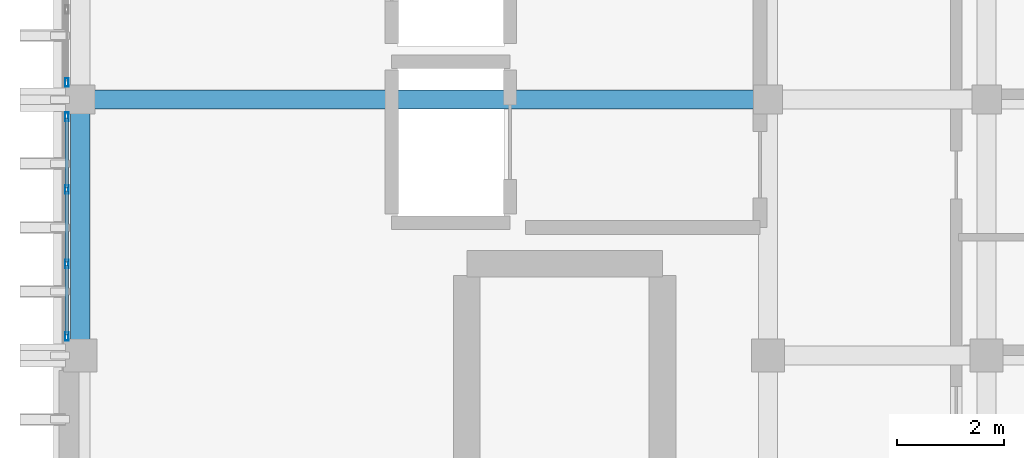
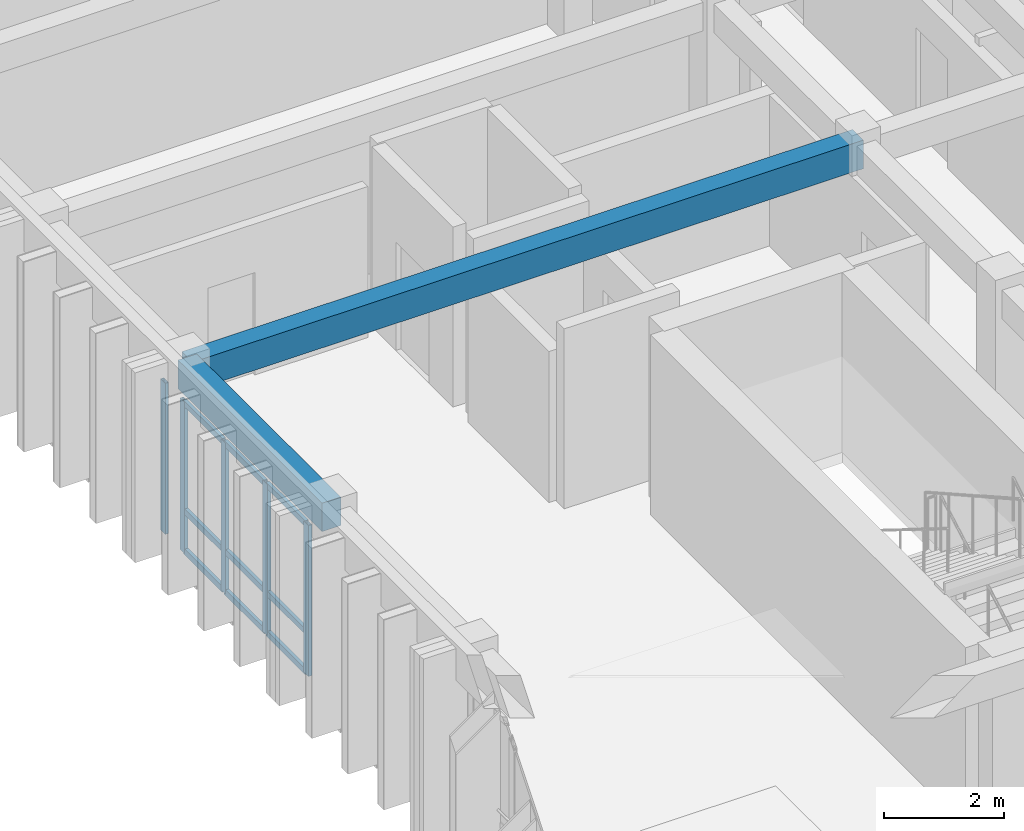
# One storey, part 12 of 50: 14 members, 2 beams, 2 elements without a shape of their own.
"""IFC4 building model written with IfcOpenShell, lengths in metres."""

from ifc_helpers import new_model, si_unit, direction, frame, origin, origin_2d, place, context, subcontext, project, spatial, rectangle, hollow_rectangle, extrude, material, layer, layer_set, material_profile, profile_set, type_object, element, aggregate, save


model = new_model("IFC4")

# Units and contexts
model_context = context("Model", 3, precision=1e-05, world=origin(), true_north=direction((0.0, 1.0)))
body_context = subcontext(model_context, "Body", "Model", "MODEL_VIEW")
ifc_project = project(units=[si_unit("LENGTHUNIT", "METRE"), si_unit("AREAUNIT", "SQUARE_METRE"), si_unit("VOLUMEUNIT", "CUBIC_METRE"), si_unit("PLANEANGLEUNIT", "RADIAN"), si_unit("MASSUNIT", "GRAM", prefix="KILO")], contexts=[model_context])

# Site, building, storey
site_placement = place(None, origin())
site = spatial("IfcSite", under=ifc_project, at=site_placement, CompositionType="ELEMENT")
building_placement = place(site_placement, origin())
building = spatial("IfcBuilding", under=site, at=building_placement, Name="Nakhvara Creek Congress Hotel", CompositionType="ELEMENT")
storey_placement = place(building_placement, frame((0.0, 0.0, 42.60009765625)))
storey = spatial("IfcBuildingStorey", under=building, at=storey_placement, Name="L10", CompositionType="ELEMENT", Elevation=42.60009765625)

# Beams
ifc_material_1 = material(Name="Concrete C40/50", Category="concrete")
ifc_material_profile_1 = material_profile(ifc_material_1, rectangle(XDim=0.360107421875, YDim=0.580078125, at=origin_2d()), Name="RC-BM 360x580", Category="LoadBearing")
ifc_profile_set_1 = profile_set([ifc_material_profile_1], Name="Concrete C40/50")
beam_type = type_object("IfcBeamType", Name="BM-RC-360X580", PredefinedType="BEAM", material=ifc_profile_set_1)
beam_1_placement = place(storey_placement, frame((149.449951171875, 86.39990234375, 3.369873046875), z_axis=(0.0, 1.0, 0.0), x_axis=(-1.0, 0.0, 0.0)))
element("IfcBeam", 1, at=beam_1_placement, inside=storey, type_object=beam_type, Name="Beam B09-L10-2637", PredefinedType="BEAM", context=body_context, shape_type="SweptSolid", body=[
    extrude(rectangle(XDim=0.360107421875, YDim=0.580078125, at=origin_2d()), origin(), (0.0, 0.0, 1.0), 4.800048828125),
])
beam_2_placement = place(storey_placement, frame((149.449951171875, 91.199951171875, 3.369873046875), z_axis=(1.0, 0.0, 0.0), x_axis=(0.0, 1.0, 0.0)))
element("IfcBeam", 2, at=beam_2_placement, inside=storey, type_object=beam_type, Name="Beam B09-L10-2703", PredefinedType="BEAM", context=body_context, shape_type="SweptSolid", body=[
    extrude(rectangle(XDim=0.360107421875, YDim=0.580078125, at=origin_2d()), origin(), (0.0, 0.0, 1.0), 12.900146484375),
])

# Curtain wall, members
ifc_material_2 = material(Name="Bronze-anodised aluminium AW-6063-T6 and double-silver low-E glass", Category="aluminium")
ifc_layer = layer(ifc_material_2, 0.199951171875)
ifc_layer_set = layer_set([ifc_layer], Name="Bronze-anodised aluminium AW-6063-T6 and double-silver low-E glass")
curtain_wall_type = type_object("IfcCurtainWallType", Name="CW-HTL-UNIT", PredefinedType="USERDEFINED", material=ifc_layer_set)
curtain_wall_1_placement = place(storey_placement, origin())
curtain_wall_1 = element("IfcCurtainWall", 3, at=curtain_wall_1_placement, inside=storey, type_object=curtain_wall_type, Name="Curtain Wall CW321", ObjectType="UNITISED", PredefinedType="USERDEFINED")
ifc_material_3 = material(Name="Bronze-anodised aluminium AW-6063-T6", Category="aluminium")
ifc_material_profile_2 = material_profile(ifc_material_3, hollow_rectangle(XDim=0.06494140625, YDim=0.159912109375, WallThickness=0.00390625, at=origin_2d()), Name="ALU-MULL 65x160x4", Category="LoadBearing")
ifc_profile_set_2 = profile_set([ifc_material_profile_2], Name="Bronze-anodised aluminium AW-6063-T6")
member_type_1 = type_object("IfcMemberType", Name="CW-MULL-160", PredefinedType="MULLION", material=ifc_profile_set_2)
member_1_placement = place(storey_placement, frame((149.199951171875, 86.757568359375, 0.0), z_axis=(0.0, 0.0, 1.0), x_axis=(-1.0, 0.0, 0.0)))
member_1 = element("IfcMember", 4, at=member_1_placement, type_object=member_type_1, Name="CW321 mullion 1", PredefinedType="MULLION", context=body_context, shape_type="SweptSolid", body=[
    extrude(hollow_rectangle(XDim=0.06494140625, YDim=0.159912109375, WallThickness=0.00390625, at=origin_2d()), origin(), (0.0, 0.0, 1.0), 3.072021484375),
])
member_2_placement = place(storey_placement, frame((149.199951171875, 88.1201171875, 0.0), z_axis=(0.0, 0.0, 1.0), x_axis=(-1.0, 0.0, 0.0)))
member_2 = element("IfcMember", 5, at=member_2_placement, type_object=member_type_1, Name="CW321 mullion 2", PredefinedType="MULLION", context=body_context, shape_type="SweptSolid", body=[
    extrude(hollow_rectangle(XDim=0.06494140625, YDim=0.159912109375, WallThickness=0.00390625, at=origin_2d()), origin(), (0.0, 0.0, 1.0), 3.072021484375),
])
member_3_placement = place(storey_placement, frame((149.199951171875, 89.514892578125, 0.0), z_axis=(0.0, 0.0, 1.0), x_axis=(-1.0, 0.0, 0.0)))
member_3 = element("IfcMember", 6, at=member_3_placement, type_object=member_type_1, Name="CW321 mullion 3", PredefinedType="MULLION", context=body_context, shape_type="SweptSolid", body=[
    extrude(hollow_rectangle(XDim=0.06494140625, YDim=0.159912109375, WallThickness=0.00390625, at=origin_2d()), origin(), (0.0, 0.0, 1.0), 3.072021484375),
])
member_4_placement = place(storey_placement, frame((149.199951171875, 90.87744140625, 0.0), z_axis=(0.0, 0.0, 1.0), x_axis=(-1.0, 0.0, 0.0)))
member_4 = element("IfcMember", 7, at=member_4_placement, type_object=member_type_1, Name="CW321 mullion 4", PredefinedType="MULLION", context=body_context, shape_type="SweptSolid", body=[
    extrude(hollow_rectangle(XDim=0.06494140625, YDim=0.159912109375, WallThickness=0.00390625, at=origin_2d()), origin(), (0.0, 0.0, 1.0), 3.072021484375),
])

# Curtain wall, member
curtain_wall_2_placement = place(storey_placement, origin())
curtain_wall_2 = element("IfcCurtainWall", 8, at=curtain_wall_2_placement, inside=storey, type_object=curtain_wall_type, Name="Curtain Wall CW323", ObjectType="UNITISED", PredefinedType="USERDEFINED")
member_5_placement = place(storey_placement, frame((149.199951171875, 91.5224609375, 0.0), z_axis=(0.0, 0.0, 1.0), x_axis=(-1.0, 0.0, 0.0)))
member_5 = element("IfcMember", 9, at=member_5_placement, type_object=member_type_1, Name="CW323 mullion 1", PredefinedType="MULLION", context=body_context, shape_type="SweptSolid", body=[
    extrude(hollow_rectangle(XDim=0.06494140625, YDim=0.159912109375, WallThickness=0.00390625, at=origin_2d()), origin(), (0.0, 0.0, 1.0), 3.072021484375),
])
aggregate(curtain_wall_2, [member_5])

# Member
ifc_material_profile_3 = material_profile(ifc_material_3, hollow_rectangle(XDim=0.06494140625, YDim=0.1201171875, WallThickness=0.00390625, at=origin_2d()), Name="ALU-TRAN 65x120x4", Category="LoadBearing")
ifc_profile_set_3 = profile_set([ifc_material_profile_3], Name="Bronze-anodised aluminium AW-6063-T6")
member_type_2 = type_object("IfcMemberType", Name="CW-TRAN-120", PredefinedType="USERDEFINED", material=ifc_profile_set_3)
member_6_placement = place(storey_placement, frame((149.199951171875, 86.7900390625, 0.032470703125), z_axis=(0.0, 1.0, 0.0), x_axis=(-1.0, 0.0, 0.0)))
member_6 = element("IfcMember", 10, at=member_6_placement, type_object=member_type_2, Name="CW321 transom 1.1", ObjectType="TRANSOM", PredefinedType="USERDEFINED", context=body_context, shape_type="SweptSolid", body=[
    extrude(hollow_rectangle(XDim=0.06494140625, YDim=0.1201171875, WallThickness=0.00390625, at=origin_2d()), origin(), (0.0, 0.0, 1.0), 1.29736328125),
])

member_7_placement = place(storey_placement, frame((149.199951171875, 86.7900390625, 0.849853515625), z_axis=(0.0, 1.0, 0.0), x_axis=(-1.0, 0.0, 0.0)))
member_7 = element("IfcMember", 11, at=member_7_placement, type_object=member_type_2, Name="CW321 transom 1.2", ObjectType="TRANSOM", PredefinedType="USERDEFINED", context=body_context, shape_type="SweptSolid", body=[
    extrude(hollow_rectangle(XDim=0.06494140625, YDim=0.1201171875, WallThickness=0.00390625, at=origin_2d()), origin(), (0.0, 0.0, 1.0), 1.29736328125),
])

member_8_placement = place(storey_placement, frame((149.199951171875, 86.7900390625, 3.039306640625), z_axis=(0.0, 1.0, 0.0), x_axis=(-1.0, 0.0, 0.0)))
member_8 = element("IfcMember", 12, at=member_8_placement, type_object=member_type_2, Name="CW321 transom 1.3", ObjectType="TRANSOM", PredefinedType="USERDEFINED", context=body_context, shape_type="SweptSolid", body=[
    extrude(hollow_rectangle(XDim=0.06494140625, YDim=0.1201171875, WallThickness=0.00390625, at=origin_2d()), origin(), (0.0, 0.0, 1.0), 1.29736328125),
])

member_9_placement = place(storey_placement, frame((149.199951171875, 88.152587890625, 0.032470703125), z_axis=(0.0, 1.0, 0.0), x_axis=(-1.0, 0.0, 0.0)))
member_9 = element("IfcMember", 13, at=member_9_placement, type_object=member_type_2, Name="CW321 transom 2.1", ObjectType="TRANSOM", PredefinedType="USERDEFINED", context=body_context, shape_type="SweptSolid", body=[
    extrude(hollow_rectangle(XDim=0.06494140625, YDim=0.1201171875, WallThickness=0.00390625, at=origin_2d()), origin(), (0.0, 0.0, 1.0), 1.329833984375),
])

member_10_placement = place(storey_placement, frame((149.199951171875, 88.152587890625, 0.849853515625), z_axis=(0.0, 1.0, 0.0), x_axis=(-1.0, 0.0, 0.0)))
member_10 = element("IfcMember", 14, at=member_10_placement, type_object=member_type_2, Name="CW321 transom 2.2", ObjectType="TRANSOM", PredefinedType="USERDEFINED", context=body_context, shape_type="SweptSolid", body=[
    extrude(hollow_rectangle(XDim=0.06494140625, YDim=0.1201171875, WallThickness=0.00390625, at=origin_2d()), origin(), (0.0, 0.0, 1.0), 1.329833984375),
])

member_11_placement = place(storey_placement, frame((149.199951171875, 88.152587890625, 3.039306640625), z_axis=(0.0, 1.0, 0.0), x_axis=(-1.0, 0.0, 0.0)))
member_11 = element("IfcMember", 15, at=member_11_placement, type_object=member_type_2, Name="CW321 transom 2.3", ObjectType="TRANSOM", PredefinedType="USERDEFINED", context=body_context, shape_type="SweptSolid", body=[
    extrude(hollow_rectangle(XDim=0.06494140625, YDim=0.1201171875, WallThickness=0.00390625, at=origin_2d()), origin(), (0.0, 0.0, 1.0), 1.329833984375),
])

member_12_placement = place(storey_placement, frame((149.199951171875, 89.547607421875, 0.032470703125), z_axis=(0.0, 1.0, 0.0), x_axis=(-1.0, 0.0, 0.0)))
member_12 = element("IfcMember", 16, at=member_12_placement, type_object=member_type_2, Name="CW321 transom 3.1", ObjectType="TRANSOM", PredefinedType="USERDEFINED", context=body_context, shape_type="SweptSolid", body=[
    extrude(hollow_rectangle(XDim=0.06494140625, YDim=0.1201171875, WallThickness=0.00390625, at=origin_2d()), origin(), (0.0, 0.0, 1.0), 1.29736328125),
])

member_13_placement = place(storey_placement, frame((149.199951171875, 89.547607421875, 0.849853515625), z_axis=(0.0, 1.0, 0.0), x_axis=(-1.0, 0.0, 0.0)))
member_13 = element("IfcMember", 17, at=member_13_placement, type_object=member_type_2, Name="CW321 transom 3.2", ObjectType="TRANSOM", PredefinedType="USERDEFINED", context=body_context, shape_type="SweptSolid", body=[
    extrude(hollow_rectangle(XDim=0.06494140625, YDim=0.1201171875, WallThickness=0.00390625, at=origin_2d()), origin(), (0.0, 0.0, 1.0), 1.29736328125),
])

member_14_placement = place(storey_placement, frame((149.199951171875, 89.547607421875, 3.039306640625), z_axis=(0.0, 1.0, 0.0), x_axis=(-1.0, 0.0, 0.0)))
member_14 = element("IfcMember", 18, at=member_14_placement, type_object=member_type_2, Name="CW321 transom 3.3", ObjectType="TRANSOM", PredefinedType="USERDEFINED", context=body_context, shape_type="SweptSolid", body=[
    extrude(hollow_rectangle(XDim=0.06494140625, YDim=0.1201171875, WallThickness=0.00390625, at=origin_2d()), origin(), (0.0, 0.0, 1.0), 1.29736328125),
])

aggregate(curtain_wall_1, [member_1, member_2, member_3, member_4, member_6, member_7, member_8, member_9, member_10, member_11, member_12, member_13, member_14])

save(model, "model.ifc")
